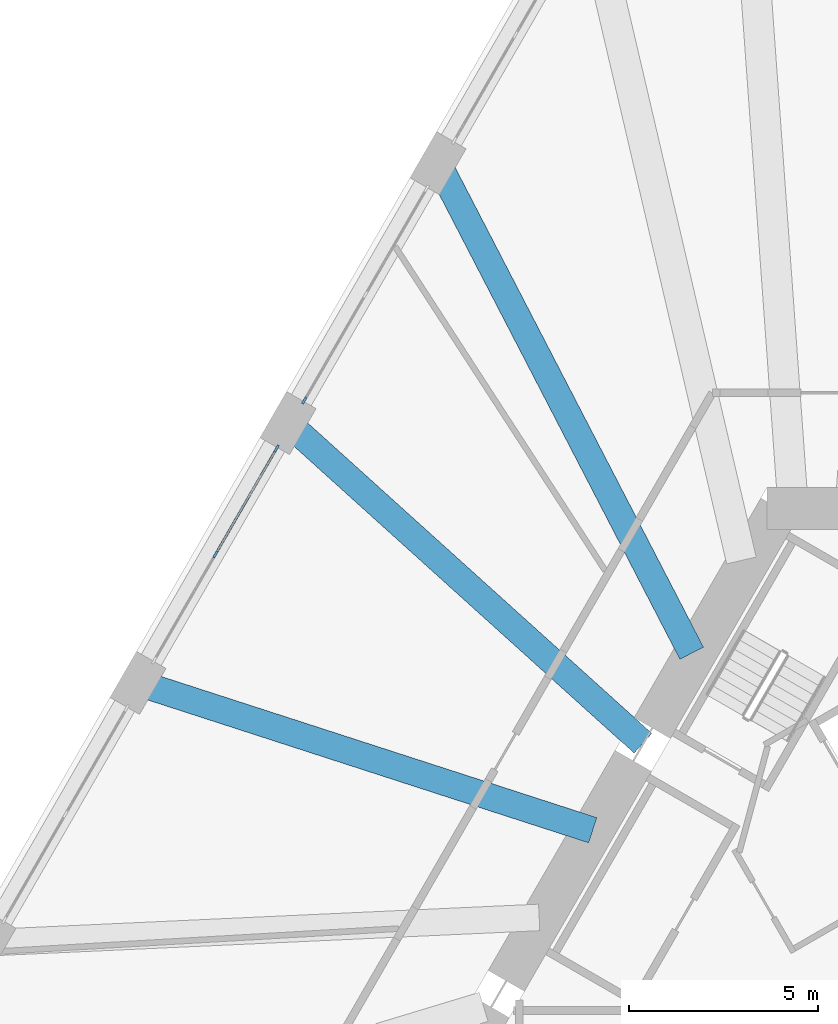
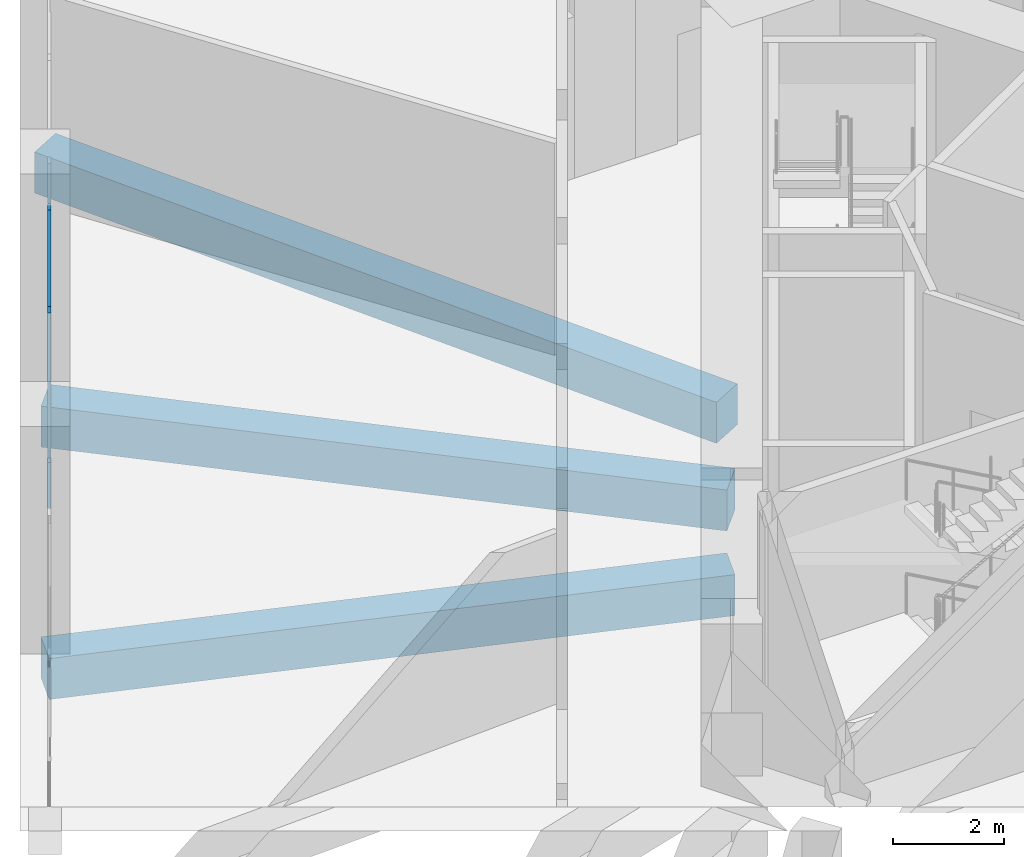
# One storey, part 6 of 20: 4 members, 3 beams, 2 elements without a shape of their own.
"""IFC4 building model written with IfcOpenShell, lengths in metres."""

from ifc_helpers import new_model, si_unit, direction, frame, origin, origin_2d, place, context, subcontext, project, spatial, rectangle, extrude, material, layer, layer_set, material_profile, profile_set, type_object, element, aggregate, save


model = new_model("IFC4")

# Units and contexts
model_context = context("Model", 3, precision=1e-05, world=origin(), true_north=direction((0.0, 1.0)))
body_context = subcontext(model_context, "Body", "Model", "MODEL_VIEW")
ifc_project = project(units=[si_unit("LENGTHUNIT", "METRE"), si_unit("AREAUNIT", "SQUARE_METRE"), si_unit("VOLUMEUNIT", "CUBIC_METRE"), si_unit("PLANEANGLEUNIT", "RADIAN"), si_unit("MASSUNIT", "GRAM", prefix="KILO")], contexts=[model_context])

# Site, building, storey
site_placement = place(None, origin())
site = spatial("IfcSite", under=ifc_project, at=site_placement, CompositionType="ELEMENT")
building_placement = place(site_placement, origin())
building = spatial("IfcBuilding", under=site, at=building_placement, Name="Tramontana Tower", CompositionType="ELEMENT")
storey_placement = place(building_placement, frame((0.0, 0.0, 15.0)))
storey = spatial("IfcBuildingStorey", under=building, at=storey_placement, Name="L02", CompositionType="ELEMENT", Elevation=15.0)

# Curtain wall, member
ifc_material_1 = material(Name="Aluminum extrusion", Category="aluminium")
ifc_layer = layer(ifc_material_1, 0.14990234375)
ifc_layer_set = layer_set([ifc_layer], Name="CW2 Podium amenity curtain wall")
curtain_wall_type = type_object("IfcCurtainWallType", Name="CW2 Podium amenity curtain wall", PredefinedType="NOTDEFINED", material=ifc_layer_set)
curtain_wall_1_placement = place(storey_placement, origin())
curtain_wall_1 = element("IfcCurtainWall", 1, at=curtain_wall_1_placement, inside=storey, type_object=curtain_wall_type, Name="CW2 curtain wall L02 face 0 bay 3", PredefinedType="NOTDEFINED")
ifc_material_2 = material(Name="Aluminum extrusion", Category="aluminium")
ifc_material_profile_1 = material_profile(ifc_material_2, rectangle(XDim=0.06005859375, YDim=0.199951171875, at=origin_2d()), Name="CW2-M Mullion 60 x 200")
ifc_profile_set_1 = profile_set([ifc_material_profile_1], Name="Aluminum extrusion")
member_type_1 = type_object("IfcMemberType", Name="CW2-M Mullion 60 x 200", PredefinedType="MULLION", material=ifc_profile_set_1)
member_1_placement = place(storey_placement, frame((-13.6552734375, 13.29833984375, 0.0), z_axis=(0.0, 0.0, 1.0), x_axis=(0.866025403784, -0.5, 0.0)))
member_1 = element("IfcMember", 2, at=member_1_placement, type_object=member_type_1, Name="CW2 curtain wall L02 face 0 bay 3 mullion 3", PredefinedType="MULLION", context=body_context, shape_type="SweptSolid", body=[
    extrude(rectangle(XDim=0.06005859375, YDim=0.199951171875, at=origin_2d()), origin(), (0.0, 0.0, 1.0), 4.300048828125),
])
aggregate(curtain_wall_1, [member_1])

# Curtain wall, members
curtain_wall_2_placement = place(storey_placement, origin())
curtain_wall_2 = element("IfcCurtainWall", 3, at=curtain_wall_2_placement, inside=storey, type_object=curtain_wall_type, Name="CW2 curtain wall L02 face 0 bay 4", PredefinedType="NOTDEFINED")
member_2_placement = place(storey_placement, frame((-14.38525390625, 12.033935546875, 0.0), z_axis=(0.0, 0.0, 1.0), x_axis=(0.866025403784, -0.5, 0.0)))
member_2 = element("IfcMember", 4, at=member_2_placement, type_object=member_type_1, Name="CW2 curtain wall L02 face 0 bay 4 mullion 1", PredefinedType="MULLION", context=body_context, shape_type="SweptSolid", body=[
    extrude(rectangle(XDim=0.06005859375, YDim=0.199951171875, at=origin_2d()), origin(), (0.0, 0.0, 1.0), 4.300048828125),
])
member_3_placement = place(storey_placement, frame((-15.999755859375, 9.237548828125, 0.0), z_axis=(0.0, 0.0, 1.0), x_axis=(0.866025403784, -0.5, 0.0)))
member_3 = element("IfcMember", 5, at=member_3_placement, type_object=member_type_1, Name="CW2 curtain wall L02 face 0 bay 4 mullion 2", PredefinedType="MULLION", context=body_context, shape_type="SweptSolid", body=[
    extrude(rectangle(XDim=0.06005859375, YDim=0.199951171875, at=origin_2d()), origin(), (0.0, 0.0, 1.0), 4.300048828125),
])
ifc_material_3 = material(Name="Aluminum extrusion", Category="aluminium")
ifc_material_profile_2 = material_profile(ifc_material_3, rectangle(XDim=0.06005859375, YDim=0.1201171875, at=origin_2d()), Name="CW2-T Transom 60 x 120")
ifc_profile_set_2 = profile_set([ifc_material_profile_2], Name="Aluminum extrusion")
member_type_2 = type_object("IfcMemberType", Name="CW2-T Transom 60 x 120", PredefinedType="USERDEFINED", material=ifc_profile_set_2)
member_4_placement = place(storey_placement, frame((-14.400390625, 12.0078125, 4.239990234375), z_axis=(-0.500000324964, -0.866025216166, 0.0), x_axis=(0.866025216166, -0.500000324964, 0.0)))
member_4 = element("IfcMember", 6, at=member_4_placement, type_object=member_type_2, Name="CW2 curtain wall L02 face 0 bay 4 transom 1.1", ObjectType="TRANSOM", PredefinedType="USERDEFINED", context=body_context, shape_type="SweptSolid", body=[
    extrude(rectangle(XDim=0.06005859375, YDim=0.1201171875, at=origin_2d()), origin(), (0.0, 0.0, 1.0), 3.1689453125),
])
aggregate(curtain_wall_2, [member_2, member_3, member_4])

# Beams
ifc_material_4 = material(Name="Concrete 40 MPa", Category="concrete")
ifc_material_profile_3 = material_profile(ifc_material_4, rectangle(XDim=0.699951171875, YDim=0.89990234375, at=origin_2d()), Name="RC GIRDER 700X900 40 MPa")
ifc_profile_set_3 = profile_set([ifc_material_profile_3], Name="Concrete 40 MPa")
beam_type = type_object("IfcBeamType", Name="RC GIRDER 700X900 40 MPa", PredefinedType="BEAM", material=ifc_profile_set_3)
beam_1_placement = place(storey_placement, frame((-10.126220703125, 19.560791015625, -0.800048828125), z_axis=(0.459730770714, -0.88805834181, 0.0), x_axis=(0.88805834181, 0.459730770714, 0.0)))
element("IfcBeam", 7, at=beam_1_placement, inside=storey, type_object=beam_type, Name="Radial girder C0F02 L02", PredefinedType="BEAM", context=body_context, shape_type="SweptSolid", body=[
    extrude(rectangle(XDim=0.699951171875, YDim=0.89990234375, at=origin_2d()), origin(), (0.0, 0.0, 1.0), 14.5615234375),
])
beam_2_placement = place(storey_placement, frame((-14.085205078125, 12.70361328125, -0.800048828125), z_axis=(0.742588406407, -0.669748056116, 0.0), x_axis=(0.669748056116, 0.742588406407, 0.0)))
element("IfcBeam", 8, at=beam_2_placement, inside=storey, type_object=beam_type, Name="Radial girder C0F03 L02", PredefinedType="BEAM", context=body_context, shape_type="SweptSolid", body=[
    extrude(rectangle(XDim=0.699951171875, YDim=0.89990234375, at=origin_2d()), origin(), (0.0, 0.0, 1.0), 12.615966796875),
])
beam_3_placement = place(storey_placement, frame((-18.044189453125, 5.846435546875, -0.800048828125), z_axis=(0.951314408854, -0.30822215285, 0.0), x_axis=(0.30822215285, 0.951314408854, 0.0)))
element("IfcBeam", 9, at=beam_3_placement, inside=storey, type_object=beam_type, Name="Radial girder C0F04 L02", PredefinedType="BEAM", context=body_context, shape_type="SweptSolid", body=[
    extrude(rectangle(XDim=0.699951171875, YDim=0.89990234375, at=origin_2d()), origin(), (0.0, 0.0, 1.0), 12.61572265625),
])

save(model, "model.ifc")
